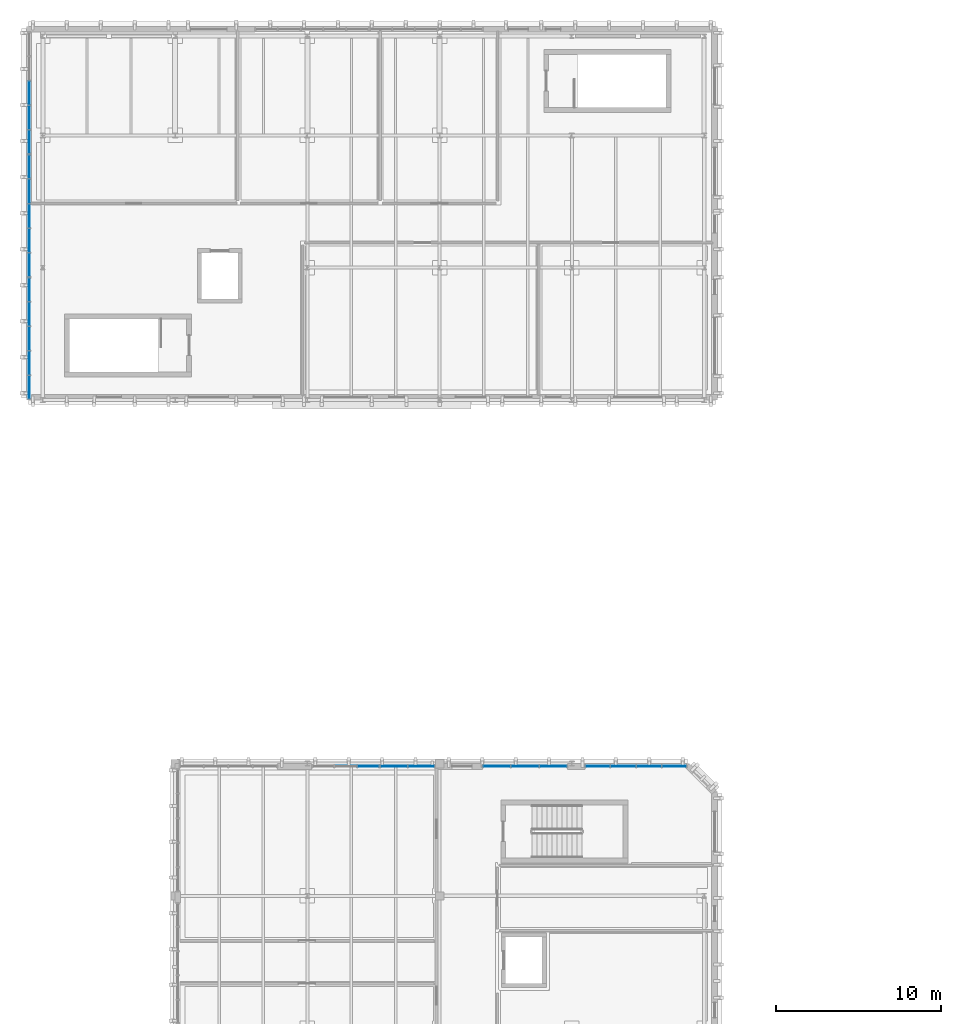
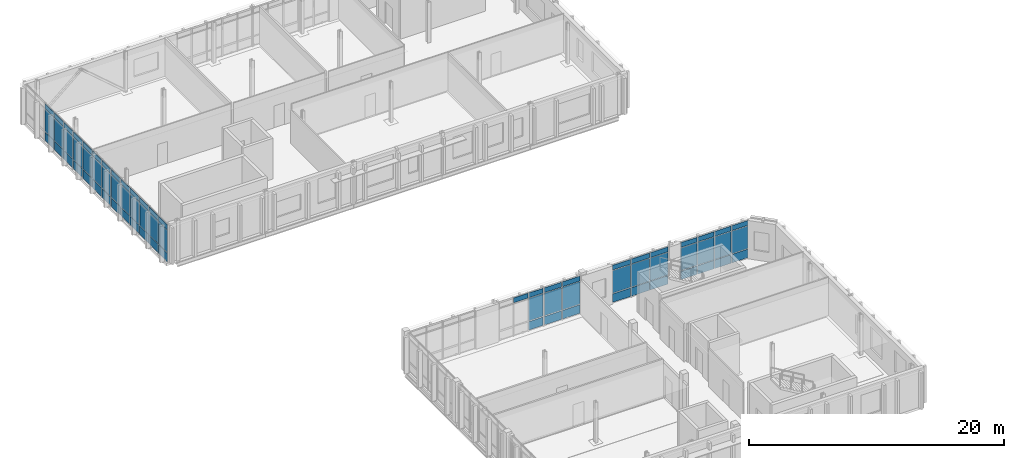
# One storey, part 20 of 40: 70 plates, 7 elements without a shape of their own.
"""IFC4 building model written with IfcOpenShell, lengths in metres."""

from ifc_helpers import new_model, si_unit, direction, frame, origin, origin_2d, place, context, subcontext, project, spatial, rectangle, extrude, material, layer, layer_set, type_object, element, aggregate, save


model = new_model("IFC4")

# Units and contexts
model_context = context("Model", 3, precision=1e-05, world=origin(), true_north=direction((0.0, 1.0)))
body_context = subcontext(model_context, "Body", "Model", "MODEL_VIEW")
ifc_project = project(units=[si_unit("LENGTHUNIT", "METRE"), si_unit("AREAUNIT", "SQUARE_METRE"), si_unit("VOLUMEUNIT", "CUBIC_METRE"), si_unit("PLANEANGLEUNIT", "RADIAN"), si_unit("MASSUNIT", "GRAM", prefix="KILO")], contexts=[model_context])

# Site, building, storey
site_placement = place(None, origin())
site = spatial("IfcSite", under=ifc_project, at=site_placement, CompositionType="ELEMENT")
building_placement = place(site_placement, origin())
building = spatial("IfcBuilding", under=site, at=building_placement, Name="Cymarion Research Institute", CompositionType="ELEMENT")
storey_placement = place(building_placement, frame((0.0, 0.0, 26.699951171875)))
storey = spatial("IfcBuildingStorey", under=building, at=storey_placement, Name="L06", CompositionType="ELEMENT", Elevation=26.699951171875)

# Curtain wall, plates
ifc_material_1 = material(Name="Anodised aluminium unitised curtain wall with Low-E glazing", Category="aluminium")
curtain_wall_type_1 = type_object("IfcCurtainWallType", Name="UNITISED CURTAIN WALL CW57 6200X3680", PredefinedType="NOTDEFINED", material=ifc_material_1)
curtain_wall_1_placement = place(storey_placement, origin())
curtain_wall_1 = element("IfcCurtainWall", 1, at=curtain_wall_1_placement, inside=storey, type_object=curtain_wall_type_1, Name="L06 V4 unitised curtain wall CW57 #217", PredefinedType="NOTDEFINED")
ifc_material_2 = material(Name="Insulated anodised aluminium spandrel panel", Category="aluminium")
ifc_layer_1 = layer(ifc_material_2, 0.06005859375)
ifc_layer_set_1 = layer_set([ifc_layer_1], Name="Insulated anodised aluminium spandrel panel")
plate_type_1 = type_object("IfcPlateType", Name="INSULATED ALUMINIUM SPANDREL PANEL SP01 60MM", PredefinedType="SHEET", material=ifc_layer_set_1)
plate_1_placement = place(storey_placement, frame((44.787841796875, 71.330078125, 0.06005859375), z_axis=(0.0, 0.0, 1.0), x_axis=(-1.0, 0.0, 0.0)))
plate_1 = element("IfcPlate", 2, at=plate_1_placement, type_object=plate_type_1, Name="CW57 panel 1.1", PredefinedType="SHEET", context=body_context, shape_type="SweptSolid", body=[
    extrude(rectangle(XDim=1.458984375, YDim=0.06005859375, at=origin_2d()), origin(), (0.0, 0.0, 1.0), 0.81005859375),
])
plate_2_placement = place(storey_placement, frame((44.787841796875, 71.330078125, 3.16015625), z_axis=(0.0, 0.0, 1.0), x_axis=(-1.0, 0.0, 0.0)))
plate_2 = element("IfcPlate", 3, at=plate_2_placement, type_object=plate_type_1, Name="CW57 panel 1.3", PredefinedType="SHEET", context=body_context, shape_type="SweptSolid", body=[
    extrude(rectangle(XDim=1.458984375, YDim=0.06005859375, at=origin_2d()), origin(), (0.0, 0.0, 1.0), 0.4599609375),
])
plate_3_placement = place(storey_placement, frame((43.25390625, 71.330078125, 0.06005859375), z_axis=(0.0, 0.0, 1.0), x_axis=(-1.0, 0.0, 0.0)))
plate_3 = element("IfcPlate", 4, at=plate_3_placement, type_object=plate_type_1, Name="CW57 panel 2.1", PredefinedType="SHEET", context=body_context, shape_type="SweptSolid", body=[
    extrude(rectangle(XDim=1.48876953125, YDim=0.06005859375, at=origin_2d()), origin(), (0.0, 0.0, 1.0), 0.81005859375),
])
plate_4_placement = place(storey_placement, frame((43.25390625, 71.330078125, 3.16015625), z_axis=(0.0, 0.0, 1.0), x_axis=(-1.0, 0.0, 0.0)))
plate_4 = element("IfcPlate", 5, at=plate_4_placement, type_object=plate_type_1, Name="CW57 panel 2.3", PredefinedType="SHEET", context=body_context, shape_type="SweptSolid", body=[
    extrude(rectangle(XDim=1.48876953125, YDim=0.06005859375, at=origin_2d()), origin(), (0.0, 0.0, 1.0), 0.4599609375),
])
plate_5_placement = place(storey_placement, frame((41.705078125, 71.330078125, 0.06005859375), z_axis=(0.0, 0.0, 1.0), x_axis=(-1.0, 0.0, 0.0)))
plate_5 = element("IfcPlate", 6, at=plate_5_placement, type_object=plate_type_1, Name="CW57 panel 3.1", PredefinedType="SHEET", context=body_context, shape_type="SweptSolid", body=[
    extrude(rectangle(XDim=1.48876953125, YDim=0.06005859375, at=origin_2d()), origin(), (0.0, 0.0, 1.0), 0.81005859375),
])
plate_6_placement = place(storey_placement, frame((41.705078125, 71.330078125, 3.16015625), z_axis=(0.0, 0.0, 1.0), x_axis=(-1.0, 0.0, 0.0)))
plate_6 = element("IfcPlate", 7, at=plate_6_placement, type_object=plate_type_1, Name="CW57 panel 3.3", PredefinedType="SHEET", context=body_context, shape_type="SweptSolid", body=[
    extrude(rectangle(XDim=1.48876953125, YDim=0.06005859375, at=origin_2d()), origin(), (0.0, 0.0, 1.0), 0.4599609375),
])
plate_7_placement = place(storey_placement, frame((40.171142578125, 71.330078125, 0.06005859375), z_axis=(0.0, 0.0, 1.0), x_axis=(-1.0, 0.0, 0.0)))
plate_7 = element("IfcPlate", 8, at=plate_7_placement, type_object=plate_type_1, Name="CW57 panel 4.1", PredefinedType="SHEET", context=body_context, shape_type="SweptSolid", body=[
    extrude(rectangle(XDim=1.458984375, YDim=0.06005859375, at=origin_2d()), origin(), (0.0, 0.0, 1.0), 0.81005859375),
])
plate_8_placement = place(storey_placement, frame((40.171142578125, 71.330078125, 3.16015625), z_axis=(0.0, 0.0, 1.0), x_axis=(-1.0, 0.0, 0.0)))
plate_8 = element("IfcPlate", 9, at=plate_8_placement, type_object=plate_type_1, Name="CW57 panel 4.3", PredefinedType="SHEET", context=body_context, shape_type="SweptSolid", body=[
    extrude(rectangle(XDim=1.458984375, YDim=0.06005859375, at=origin_2d()), origin(), (0.0, 0.0, 1.0), 0.4599609375),
])

curtain_wall_type_2 = type_object("IfcCurtainWallType", Name="UNITISED CURTAIN WALL CW58 5150X3680", PredefinedType="NOTDEFINED", material=ifc_material_1)
curtain_wall_2_placement = place(storey_placement, origin())
curtain_wall_2 = element("IfcCurtainWall", 10, at=curtain_wall_2_placement, inside=storey, type_object=curtain_wall_type_2, Name="L06 V4 unitised curtain wall CW58 #218", PredefinedType="NOTDEFINED")
plate_9_placement = place(storey_placement, frame((37.466064453125, 71.330078125, 0.06005859375), z_axis=(0.0, 0.0, 1.0), x_axis=(-1.0, 0.0, 0.0)))
plate_9 = element("IfcPlate", 11, at=plate_9_placement, type_object=plate_type_1, Name="CW58 panel 1.1", PredefinedType="SHEET", context=body_context, shape_type="SweptSolid", body=[
    extrude(rectangle(XDim=1.6279296875, YDim=0.06005859375, at=origin_2d()), origin(), (0.0, 0.0, 1.0), 0.81005859375),
])
plate_10_placement = place(storey_placement, frame((37.466064453125, 71.330078125, 3.16015625), z_axis=(0.0, 0.0, 1.0), x_axis=(-1.0, 0.0, 0.0)))
plate_10 = element("IfcPlate", 12, at=plate_10_placement, type_object=plate_type_1, Name="CW58 panel 1.3", PredefinedType="SHEET", context=body_context, shape_type="SweptSolid", body=[
    extrude(rectangle(XDim=1.6279296875, YDim=0.06005859375, at=origin_2d()), origin(), (0.0, 0.0, 1.0), 0.4599609375),
])
plate_11_placement = place(storey_placement, frame((35.76318359375, 71.330078125, 0.06005859375), z_axis=(0.0, 0.0, 1.0), x_axis=(-1.0, 0.0, 0.0)))
plate_11 = element("IfcPlate", 13, at=plate_11_placement, type_object=plate_type_1, Name="CW58 panel 2.1", PredefinedType="SHEET", context=body_context, shape_type="SweptSolid", body=[
    extrude(rectangle(XDim=1.657958984375, YDim=0.06005859375, at=origin_2d()), origin(), (0.0, 0.0, 1.0), 0.81005859375),
])
plate_12_placement = place(storey_placement, frame((35.76318359375, 71.330078125, 3.16015625), z_axis=(0.0, 0.0, 1.0), x_axis=(-1.0, 0.0, 0.0)))
plate_12 = element("IfcPlate", 14, at=plate_12_placement, type_object=plate_type_1, Name="CW58 panel 2.3", PredefinedType="SHEET", context=body_context, shape_type="SweptSolid", body=[
    extrude(rectangle(XDim=1.657958984375, YDim=0.06005859375, at=origin_2d()), origin(), (0.0, 0.0, 1.0), 0.4599609375),
])
plate_13_placement = place(storey_placement, frame((34.060302734375, 71.330078125, 0.06005859375), z_axis=(0.0, 0.0, 1.0), x_axis=(-1.0, 0.0, 0.0)))
plate_13 = element("IfcPlate", 15, at=plate_13_placement, type_object=plate_type_1, Name="CW58 panel 3.1", PredefinedType="SHEET", context=body_context, shape_type="SweptSolid", body=[
    extrude(rectangle(XDim=1.6279296875, YDim=0.06005859375, at=origin_2d()), origin(), (0.0, 0.0, 1.0), 0.81005859375),
])
plate_14_placement = place(storey_placement, frame((34.060302734375, 71.330078125, 3.16015625), z_axis=(0.0, 0.0, 1.0), x_axis=(-1.0, 0.0, 0.0)))
plate_14 = element("IfcPlate", 16, at=plate_14_placement, type_object=plate_type_1, Name="CW58 panel 3.3", PredefinedType="SHEET", context=body_context, shape_type="SweptSolid", body=[
    extrude(rectangle(XDim=1.6279296875, YDim=0.06005859375, at=origin_2d()), origin(), (0.0, 0.0, 1.0), 0.4599609375),
])

curtain_wall_type_3 = type_object("IfcCurtainWallType", Name="UNITISED CURTAIN WALL CW59 3350X3680", PredefinedType="NOTDEFINED", material=ifc_material_1)
curtain_wall_3_placement = place(storey_placement, origin())
curtain_wall_3 = element("IfcCurtainWall", 17, at=curtain_wall_3_placement, inside=storey, type_object=curtain_wall_type_3, Name="L06 V4 unitised curtain wall CW59 #219", PredefinedType="NOTDEFINED")
plate_15_placement = place(storey_placement, frame((29.48779296875, 71.330078125, 0.06005859375), z_axis=(0.0, 0.0, 1.0), x_axis=(-1.0, 0.0, 0.0)))
plate_15 = element("IfcPlate", 18, at=plate_15_placement, type_object=plate_type_1, Name="CW59 panel 1.1", PredefinedType="SHEET", context=body_context, shape_type="SweptSolid", body=[
    extrude(rectangle(XDim=1.58447265625, YDim=0.06005859375, at=origin_2d()), origin(), (0.0, 0.0, 1.0), 0.81005859375),
])
plate_16_placement = place(storey_placement, frame((29.48779296875, 71.330078125, 3.16015625), z_axis=(0.0, 0.0, 1.0), x_axis=(-1.0, 0.0, 0.0)))
plate_16 = element("IfcPlate", 19, at=plate_16_placement, type_object=plate_type_1, Name="CW59 panel 1.3", PredefinedType="SHEET", context=body_context, shape_type="SweptSolid", body=[
    extrude(rectangle(XDim=1.58447265625, YDim=0.06005859375, at=origin_2d()), origin(), (0.0, 0.0, 1.0), 0.4599609375),
])
plate_17_placement = place(storey_placement, frame((27.84326171875, 71.330078125, 0.06005859375), z_axis=(0.0, 0.0, 1.0), x_axis=(-1.0, 0.0, 0.0)))
plate_17 = element("IfcPlate", 20, at=plate_17_placement, type_object=plate_type_1, Name="CW59 panel 2.1", PredefinedType="SHEET", context=body_context, shape_type="SweptSolid", body=[
    extrude(rectangle(XDim=1.58447265625, YDim=0.06005859375, at=origin_2d()), origin(), (0.0, 0.0, 1.0), 0.81005859375),
])
plate_18_placement = place(storey_placement, frame((27.84326171875, 71.330078125, 3.16015625), z_axis=(0.0, 0.0, 1.0), x_axis=(-1.0, 0.0, 0.0)))
plate_18 = element("IfcPlate", 21, at=plate_18_placement, type_object=plate_type_1, Name="CW59 panel 2.3", PredefinedType="SHEET", context=body_context, shape_type="SweptSolid", body=[
    extrude(rectangle(XDim=1.58447265625, YDim=0.06005859375, at=origin_2d()), origin(), (0.0, 0.0, 1.0), 0.4599609375),
])

curtain_wall_type_4 = type_object("IfcCurtainWallType", Name="UNITISED CURTAIN WALL CW51 4130X3680", PredefinedType="NOTDEFINED", material=ifc_material_1)
curtain_wall_4_placement = place(storey_placement, origin())
curtain_wall_4 = element("IfcCurtainWall", 22, at=curtain_wall_4_placement, inside=storey, type_object=curtain_wall_type_4, Name="L06 V4 unitised curtain wall CW51 #220", PredefinedType="NOTDEFINED")
plate_19_placement = place(storey_placement, frame((26.287353515625, 71.330078125, 0.06005859375), z_axis=(0.0, 0.0, 1.0), x_axis=(-1.0, 0.0, 0.0)))
plate_19 = element("IfcPlate", 23, at=plate_19_placement, type_object=plate_type_1, Name="CW51 panel 1.1", PredefinedType="SHEET", context=body_context, shape_type="SweptSolid", body=[
    extrude(rectangle(XDim=1.286865234375, YDim=0.06005859375, at=origin_2d()), origin(), (0.0, 0.0, 1.0), 0.81005859375),
])
plate_20_placement = place(storey_placement, frame((26.287353515625, 71.330078125, 3.16015625), z_axis=(0.0, 0.0, 1.0), x_axis=(-1.0, 0.0, 0.0)))
plate_20 = element("IfcPlate", 24, at=plate_20_placement, type_object=plate_type_1, Name="CW51 panel 1.3", PredefinedType="SHEET", context=body_context, shape_type="SweptSolid", body=[
    extrude(rectangle(XDim=1.286865234375, YDim=0.06005859375, at=origin_2d()), origin(), (0.0, 0.0, 1.0), 0.4599609375),
])
plate_21_placement = place(storey_placement, frame((24.925537109375, 71.330078125, 3.16015625), z_axis=(0.0, 0.0, 1.0), x_axis=(-1.0, 0.0, 0.0)))
plate_21 = element("IfcPlate", 25, at=plate_21_placement, type_object=plate_type_1, Name="CW51 panel 2.3", PredefinedType="SHEET", context=body_context, shape_type="SweptSolid", body=[
    extrude(rectangle(XDim=1.31689453125, YDim=0.06005859375, at=origin_2d()), origin(), (0.0, 0.0, 1.0), 0.4599609375),
])

curtain_wall_type_5 = type_object("IfcCurtainWallType", Name="UNITISED CURTAIN WALL CW65 7430X3660", PredefinedType="NOTDEFINED", material=ifc_material_1)
curtain_wall_5_placement = place(storey_placement, origin())
curtain_wall_5 = element("IfcCurtainWall", 26, at=curtain_wall_5_placement, inside=storey, type_object=curtain_wall_type_5, Name="L06 V5 unitised curtain wall CW65 #227", PredefinedType="NOTDEFINED")
plate_22_placement = place(storey_placement, frame((5.77001953125, 112.06494140625, 0.06005859375), z_axis=(0.0, 0.0, 1.0), x_axis=(0.0, -1.0, 0.0)))
plate_22 = element("IfcPlate", 27, at=plate_22_placement, type_object=plate_type_1, Name="CW65 panel 3.1", PredefinedType="SHEET", context=body_context, shape_type="SweptSolid", body=[
    extrude(rectangle(XDim=1.42529296875, YDim=0.06005859375, at=origin_2d()), origin(), (0.0, 0.0, 1.0), 0.81005859375),
])
plate_23_placement = place(storey_placement, frame((5.77001953125, 112.06494140625, 3.14013671875), z_axis=(0.0, 0.0, 1.0), x_axis=(0.0, -1.0, 0.0)))
plate_23 = element("IfcPlate", 28, at=plate_23_placement, type_object=plate_type_1, Name="CW65 panel 3.3", PredefinedType="SHEET", context=body_context, shape_type="SweptSolid", body=[
    extrude(rectangle(XDim=1.42529296875, YDim=0.06005859375, at=origin_2d()), origin(), (0.0, 0.0, 1.0), 0.4599609375),
])
plate_24_placement = place(storey_placement, frame((5.77001953125, 110.579833984375, 0.06005859375), z_axis=(0.0, 0.0, 1.0), x_axis=(0.0, -1.0, 0.0)))
plate_24 = element("IfcPlate", 29, at=plate_24_placement, type_object=plate_type_1, Name="CW65 panel 4.1", PredefinedType="SHEET", context=body_context, shape_type="SweptSolid", body=[
    extrude(rectangle(XDim=1.42529296875, YDim=0.06005859375, at=origin_2d()), origin(), (0.0, 0.0, 1.0), 0.81005859375),
])
plate_25_placement = place(storey_placement, frame((5.77001953125, 110.579833984375, 3.14013671875), z_axis=(0.0, 0.0, 1.0), x_axis=(0.0, -1.0, 0.0)))
plate_25 = element("IfcPlate", 30, at=plate_25_placement, type_object=plate_type_1, Name="CW65 panel 4.3", PredefinedType="SHEET", context=body_context, shape_type="SweptSolid", body=[
    extrude(rectangle(XDim=1.42529296875, YDim=0.06005859375, at=origin_2d()), origin(), (0.0, 0.0, 1.0), 0.4599609375),
])
plate_26_placement = place(storey_placement, frame((5.77001953125, 109.109619140625, 0.06005859375), z_axis=(0.0, 0.0, 1.0), x_axis=(0.0, -1.0, 0.0)))
plate_26 = element("IfcPlate", 31, at=plate_26_placement, type_object=plate_type_1, Name="CW65 panel 5.1", PredefinedType="SHEET", context=body_context, shape_type="SweptSolid", body=[
    extrude(rectangle(XDim=1.395263671875, YDim=0.06005859375, at=origin_2d()), origin(), (0.0, 0.0, 1.0), 0.81005859375),
])
plate_27_placement = place(storey_placement, frame((5.77001953125, 109.109619140625, 3.14013671875), z_axis=(0.0, 0.0, 1.0), x_axis=(0.0, -1.0, 0.0)))
plate_27 = element("IfcPlate", 32, at=plate_27_placement, type_object=plate_type_1, Name="CW65 panel 5.3", PredefinedType="SHEET", context=body_context, shape_type="SweptSolid", body=[
    extrude(rectangle(XDim=1.395263671875, YDim=0.06005859375, at=origin_2d()), origin(), (0.0, 0.0, 1.0), 0.4599609375),
])

curtain_wall_6_placement = place(storey_placement, origin())
curtain_wall_6 = element("IfcCurtainWall", 33, at=curtain_wall_6_placement, inside=storey, type_object=curtain_wall_type_5, Name="L06 V5 unitised curtain wall CW65 #228", PredefinedType="NOTDEFINED")
plate_28_placement = place(storey_placement, frame((5.77001953125, 107.594482421875, 0.06005859375), z_axis=(0.0, 0.0, 1.0), x_axis=(0.0, -1.0, 0.0)))
plate_28 = element("IfcPlate", 34, at=plate_28_placement, type_object=plate_type_1, Name="CW65 panel 1.1", PredefinedType="SHEET", context=body_context, shape_type="SweptSolid", body=[
    extrude(rectangle(XDim=1.395263671875, YDim=0.06005859375, at=origin_2d()), origin(), (0.0, 0.0, 1.0), 0.81005859375),
])
plate_29_placement = place(storey_placement, frame((5.77001953125, 107.594482421875, 3.14013671875), z_axis=(0.0, 0.0, 1.0), x_axis=(0.0, -1.0, 0.0)))
plate_29 = element("IfcPlate", 35, at=plate_29_placement, type_object=plate_type_1, Name="CW65 panel 1.3", PredefinedType="SHEET", context=body_context, shape_type="SweptSolid", body=[
    extrude(rectangle(XDim=1.395263671875, YDim=0.06005859375, at=origin_2d()), origin(), (0.0, 0.0, 1.0), 0.4599609375),
])
plate_30_placement = place(storey_placement, frame((5.77001953125, 106.124267578125, 0.06005859375), z_axis=(0.0, 0.0, 1.0), x_axis=(0.0, -1.0, 0.0)))
plate_30 = element("IfcPlate", 36, at=plate_30_placement, type_object=plate_type_1, Name="CW65 panel 2.1", PredefinedType="SHEET", context=body_context, shape_type="SweptSolid", body=[
    extrude(rectangle(XDim=1.42529296875, YDim=0.06005859375, at=origin_2d()), origin(), (0.0, 0.0, 1.0), 0.81005859375),
])
plate_31_placement = place(storey_placement, frame((5.77001953125, 106.124267578125, 3.14013671875), z_axis=(0.0, 0.0, 1.0), x_axis=(0.0, -1.0, 0.0)))
plate_31 = element("IfcPlate", 37, at=plate_31_placement, type_object=plate_type_1, Name="CW65 panel 2.3", PredefinedType="SHEET", context=body_context, shape_type="SweptSolid", body=[
    extrude(rectangle(XDim=1.42529296875, YDim=0.06005859375, at=origin_2d()), origin(), (0.0, 0.0, 1.0), 0.4599609375),
])
plate_32_placement = place(storey_placement, frame((5.77001953125, 104.638916015625, 0.06005859375), z_axis=(0.0, 0.0, 1.0), x_axis=(0.0, -1.0, 0.0)))
plate_32 = element("IfcPlate", 38, at=plate_32_placement, type_object=plate_type_1, Name="CW65 panel 3.1", PredefinedType="SHEET", context=body_context, shape_type="SweptSolid", body=[
    extrude(rectangle(XDim=1.42529296875, YDim=0.06005859375, at=origin_2d()), origin(), (0.0, 0.0, 1.0), 0.81005859375),
])
plate_33_placement = place(storey_placement, frame((5.77001953125, 104.638916015625, 3.14013671875), z_axis=(0.0, 0.0, 1.0), x_axis=(0.0, -1.0, 0.0)))
plate_33 = element("IfcPlate", 39, at=plate_33_placement, type_object=plate_type_1, Name="CW65 panel 3.3", PredefinedType="SHEET", context=body_context, shape_type="SweptSolid", body=[
    extrude(rectangle(XDim=1.42529296875, YDim=0.06005859375, at=origin_2d()), origin(), (0.0, 0.0, 1.0), 0.4599609375),
])
plate_34_placement = place(storey_placement, frame((5.77001953125, 103.15380859375, 0.06005859375), z_axis=(0.0, 0.0, 1.0), x_axis=(0.0, -1.0, 0.0)))
plate_34 = element("IfcPlate", 40, at=plate_34_placement, type_object=plate_type_1, Name="CW65 panel 4.1", PredefinedType="SHEET", context=body_context, shape_type="SweptSolid", body=[
    extrude(rectangle(XDim=1.42529296875, YDim=0.06005859375, at=origin_2d()), origin(), (0.0, 0.0, 1.0), 0.81005859375),
])
plate_35_placement = place(storey_placement, frame((5.77001953125, 103.15380859375, 3.14013671875), z_axis=(0.0, 0.0, 1.0), x_axis=(0.0, -1.0, 0.0)))
plate_35 = element("IfcPlate", 41, at=plate_35_placement, type_object=plate_type_1, Name="CW65 panel 4.3", PredefinedType="SHEET", context=body_context, shape_type="SweptSolid", body=[
    extrude(rectangle(XDim=1.42529296875, YDim=0.06005859375, at=origin_2d()), origin(), (0.0, 0.0, 1.0), 0.4599609375),
])
plate_36_placement = place(storey_placement, frame((5.77001953125, 101.68359375, 0.06005859375), z_axis=(0.0, 0.0, 1.0), x_axis=(0.0, -1.0, 0.0)))
plate_36 = element("IfcPlate", 42, at=plate_36_placement, type_object=plate_type_1, Name="CW65 panel 5.1", PredefinedType="SHEET", context=body_context, shape_type="SweptSolid", body=[
    extrude(rectangle(XDim=1.395263671875, YDim=0.06005859375, at=origin_2d()), origin(), (0.0, 0.0, 1.0), 0.81005859375),
])
plate_37_placement = place(storey_placement, frame((5.77001953125, 101.68359375, 3.14013671875), z_axis=(0.0, 0.0, 1.0), x_axis=(0.0, -1.0, 0.0)))
plate_37 = element("IfcPlate", 43, at=plate_37_placement, type_object=plate_type_1, Name="CW65 panel 5.3", PredefinedType="SHEET", context=body_context, shape_type="SweptSolid", body=[
    extrude(rectangle(XDim=1.395263671875, YDim=0.06005859375, at=origin_2d()), origin(), (0.0, 0.0, 1.0), 0.4599609375),
])

curtain_wall_7_placement = place(storey_placement, origin())
curtain_wall_7 = element("IfcCurtainWall", 44, at=curtain_wall_7_placement, inside=storey, type_object=curtain_wall_type_5, Name="L06 V5 unitised curtain wall CW65 #229", PredefinedType="NOTDEFINED")
plate_38_placement = place(storey_placement, frame((5.77001953125, 100.16845703125, 0.06005859375), z_axis=(0.0, 0.0, 1.0), x_axis=(0.0, -1.0, 0.0)))
plate_38 = element("IfcPlate", 45, at=plate_38_placement, type_object=plate_type_1, Name="CW65 panel 1.1", PredefinedType="SHEET", context=body_context, shape_type="SweptSolid", body=[
    extrude(rectangle(XDim=1.395263671875, YDim=0.06005859375, at=origin_2d()), origin(), (0.0, 0.0, 1.0), 0.81005859375),
])
plate_39_placement = place(storey_placement, frame((5.77001953125, 100.16845703125, 3.14013671875), z_axis=(0.0, 0.0, 1.0), x_axis=(0.0, -1.0, 0.0)))
plate_39 = element("IfcPlate", 46, at=plate_39_placement, type_object=plate_type_1, Name="CW65 panel 1.3", PredefinedType="SHEET", context=body_context, shape_type="SweptSolid", body=[
    extrude(rectangle(XDim=1.395263671875, YDim=0.06005859375, at=origin_2d()), origin(), (0.0, 0.0, 1.0), 0.4599609375),
])
plate_40_placement = place(storey_placement, frame((5.77001953125, 98.6982421875, 0.06005859375), z_axis=(0.0, 0.0, 1.0), x_axis=(0.0, -1.0, 0.0)))
plate_40 = element("IfcPlate", 47, at=plate_40_placement, type_object=plate_type_1, Name="CW65 panel 2.1", PredefinedType="SHEET", context=body_context, shape_type="SweptSolid", body=[
    extrude(rectangle(XDim=1.42529296875, YDim=0.06005859375, at=origin_2d()), origin(), (0.0, 0.0, 1.0), 0.81005859375),
])
plate_41_placement = place(storey_placement, frame((5.77001953125, 98.6982421875, 3.14013671875), z_axis=(0.0, 0.0, 1.0), x_axis=(0.0, -1.0, 0.0)))
plate_41 = element("IfcPlate", 48, at=plate_41_placement, type_object=plate_type_1, Name="CW65 panel 2.3", PredefinedType="SHEET", context=body_context, shape_type="SweptSolid", body=[
    extrude(rectangle(XDim=1.42529296875, YDim=0.06005859375, at=origin_2d()), origin(), (0.0, 0.0, 1.0), 0.4599609375),
])
plate_42_placement = place(storey_placement, frame((5.77001953125, 97.212890625, 0.06005859375), z_axis=(0.0, 0.0, 1.0), x_axis=(0.0, -1.0, 0.0)))
plate_42 = element("IfcPlate", 49, at=plate_42_placement, type_object=plate_type_1, Name="CW65 panel 3.1", PredefinedType="SHEET", context=body_context, shape_type="SweptSolid", body=[
    extrude(rectangle(XDim=1.42529296875, YDim=0.06005859375, at=origin_2d()), origin(), (0.0, 0.0, 1.0), 0.81005859375),
])
plate_43_placement = place(storey_placement, frame((5.77001953125, 97.212890625, 3.14013671875), z_axis=(0.0, 0.0, 1.0), x_axis=(0.0, -1.0, 0.0)))
plate_43 = element("IfcPlate", 50, at=plate_43_placement, type_object=plate_type_1, Name="CW65 panel 3.3", PredefinedType="SHEET", context=body_context, shape_type="SweptSolid", body=[
    extrude(rectangle(XDim=1.42529296875, YDim=0.06005859375, at=origin_2d()), origin(), (0.0, 0.0, 1.0), 0.4599609375),
])
plate_44_placement = place(storey_placement, frame((5.77001953125, 95.727783203125, 0.06005859375), z_axis=(0.0, 0.0, 1.0), x_axis=(0.0, -1.0, 0.0)))
plate_44 = element("IfcPlate", 51, at=plate_44_placement, type_object=plate_type_1, Name="CW65 panel 4.1", PredefinedType="SHEET", context=body_context, shape_type="SweptSolid", body=[
    extrude(rectangle(XDim=1.42529296875, YDim=0.06005859375, at=origin_2d()), origin(), (0.0, 0.0, 1.0), 0.81005859375),
])
plate_45_placement = place(storey_placement, frame((5.77001953125, 95.727783203125, 3.14013671875), z_axis=(0.0, 0.0, 1.0), x_axis=(0.0, -1.0, 0.0)))
plate_45 = element("IfcPlate", 52, at=plate_45_placement, type_object=plate_type_1, Name="CW65 panel 4.3", PredefinedType="SHEET", context=body_context, shape_type="SweptSolid", body=[
    extrude(rectangle(XDim=1.42529296875, YDim=0.06005859375, at=origin_2d()), origin(), (0.0, 0.0, 1.0), 0.4599609375),
])
plate_46_placement = place(storey_placement, frame((5.77001953125, 94.257568359375, 0.06005859375), z_axis=(0.0, 0.0, 1.0), x_axis=(0.0, -1.0, 0.0)))
plate_46 = element("IfcPlate", 53, at=plate_46_placement, type_object=plate_type_1, Name="CW65 panel 5.1", PredefinedType="SHEET", context=body_context, shape_type="SweptSolid", body=[
    extrude(rectangle(XDim=1.395263671875, YDim=0.06005859375, at=origin_2d()), origin(), (0.0, 0.0, 1.0), 0.81005859375),
])
plate_47_placement = place(storey_placement, frame((5.77001953125, 94.257568359375, 3.14013671875), z_axis=(0.0, 0.0, 1.0), x_axis=(0.0, -1.0, 0.0)))
plate_47 = element("IfcPlate", 54, at=plate_47_placement, type_object=plate_type_1, Name="CW65 panel 5.3", PredefinedType="SHEET", context=body_context, shape_type="SweptSolid", body=[
    extrude(rectangle(XDim=1.395263671875, YDim=0.06005859375, at=origin_2d()), origin(), (0.0, 0.0, 1.0), 0.4599609375),
])

# Plate
ifc_material_3 = material(Name="Low-E double solar-control glazing", Category="glass")
ifc_layer_2 = layer(ifc_material_3, 0.035888671875)
ifc_layer_set_2 = layer_set([ifc_layer_2], Name="Low-E double solar-control glazing")
plate_type_2 = type_object("IfcPlateType", Name="SOLAR CONTROL GLAZED VISION PANEL GP01 36MM", PredefinedType="CURTAIN_PANEL", material=ifc_layer_set_2)
plate_48_placement = place(storey_placement, frame((44.787841796875, 71.330078125, 0.93017578125), z_axis=(0.0, 0.0, 1.0), x_axis=(-1.0, 0.0, 0.0)))
plate_48 = element("IfcPlate", 55, at=plate_48_placement, type_object=plate_type_2, Name="CW57 panel 1.2", PredefinedType="CURTAIN_PANEL", context=body_context, shape_type="SweptSolid", body=[
    extrude(rectangle(XDim=1.458984375, YDim=0.035888671875, at=origin_2d()), origin(), (0.0, 0.0, 1.0), 2.169921875),
])

plate_49_placement = place(storey_placement, frame((43.25390625, 71.330078125, 0.93017578125), z_axis=(0.0, 0.0, 1.0), x_axis=(-1.0, 0.0, 0.0)))
plate_49 = element("IfcPlate", 56, at=plate_49_placement, type_object=plate_type_2, Name="CW57 panel 2.2", PredefinedType="CURTAIN_PANEL", context=body_context, shape_type="SweptSolid", body=[
    extrude(rectangle(XDim=1.48876953125, YDim=0.035888671875, at=origin_2d()), origin(), (0.0, 0.0, 1.0), 2.169921875),
])

plate_50_placement = place(storey_placement, frame((41.705078125, 71.330078125, 0.93017578125), z_axis=(0.0, 0.0, 1.0), x_axis=(-1.0, 0.0, 0.0)))
plate_50 = element("IfcPlate", 57, at=plate_50_placement, type_object=plate_type_2, Name="CW57 panel 3.2", PredefinedType="CURTAIN_PANEL", context=body_context, shape_type="SweptSolid", body=[
    extrude(rectangle(XDim=1.48876953125, YDim=0.035888671875, at=origin_2d()), origin(), (0.0, 0.0, 1.0), 2.169921875),
])

plate_51_placement = place(storey_placement, frame((40.171142578125, 71.330078125, 0.93017578125), z_axis=(0.0, 0.0, 1.0), x_axis=(-1.0, 0.0, 0.0)))
plate_51 = element("IfcPlate", 58, at=plate_51_placement, type_object=plate_type_2, Name="CW57 panel 4.2", PredefinedType="CURTAIN_PANEL", context=body_context, shape_type="SweptSolid", body=[
    extrude(rectangle(XDim=1.458984375, YDim=0.035888671875, at=origin_2d()), origin(), (0.0, 0.0, 1.0), 2.169921875),
])

aggregate(curtain_wall_1, [plate_1, plate_48, plate_2, plate_3, plate_49, plate_4, plate_5, plate_50, plate_6, plate_7, plate_51, plate_8])

plate_52_placement = place(storey_placement, frame((37.466064453125, 71.330078125, 0.93017578125), z_axis=(0.0, 0.0, 1.0), x_axis=(-1.0, 0.0, 0.0)))
plate_52 = element("IfcPlate", 59, at=plate_52_placement, type_object=plate_type_2, Name="CW58 panel 1.2", PredefinedType="CURTAIN_PANEL", context=body_context, shape_type="SweptSolid", body=[
    extrude(rectangle(XDim=1.6279296875, YDim=0.035888671875, at=origin_2d()), origin(), (0.0, 0.0, 1.0), 2.169921875),
])

plate_53_placement = place(storey_placement, frame((35.76318359375, 71.330078125, 0.93017578125), z_axis=(0.0, 0.0, 1.0), x_axis=(-1.0, 0.0, 0.0)))
plate_53 = element("IfcPlate", 60, at=plate_53_placement, type_object=plate_type_2, Name="CW58 panel 2.2", PredefinedType="CURTAIN_PANEL", context=body_context, shape_type="SweptSolid", body=[
    extrude(rectangle(XDim=1.657958984375, YDim=0.035888671875, at=origin_2d()), origin(), (0.0, 0.0, 1.0), 2.169921875),
])

plate_54_placement = place(storey_placement, frame((34.060302734375, 71.330078125, 0.93017578125), z_axis=(0.0, 0.0, 1.0), x_axis=(-1.0, 0.0, 0.0)))
plate_54 = element("IfcPlate", 61, at=plate_54_placement, type_object=plate_type_2, Name="CW58 panel 3.2", PredefinedType="CURTAIN_PANEL", context=body_context, shape_type="SweptSolid", body=[
    extrude(rectangle(XDim=1.6279296875, YDim=0.035888671875, at=origin_2d()), origin(), (0.0, 0.0, 1.0), 2.169921875),
])

aggregate(curtain_wall_2, [plate_9, plate_52, plate_10, plate_11, plate_53, plate_12, plate_13, plate_54, plate_14])

plate_55_placement = place(storey_placement, frame((29.48779296875, 71.330078125, 0.93017578125), z_axis=(0.0, 0.0, 1.0), x_axis=(-1.0, 0.0, 0.0)))
plate_55 = element("IfcPlate", 62, at=plate_55_placement, type_object=plate_type_2, Name="CW59 panel 1.2", PredefinedType="CURTAIN_PANEL", context=body_context, shape_type="SweptSolid", body=[
    extrude(rectangle(XDim=1.58447265625, YDim=0.035888671875, at=origin_2d()), origin(), (0.0, 0.0, 1.0), 2.169921875),
])

plate_56_placement = place(storey_placement, frame((27.84326171875, 71.330078125, 0.93017578125), z_axis=(0.0, 0.0, 1.0), x_axis=(-1.0, 0.0, 0.0)))
plate_56 = element("IfcPlate", 63, at=plate_56_placement, type_object=plate_type_2, Name="CW59 panel 2.2", PredefinedType="CURTAIN_PANEL", context=body_context, shape_type="SweptSolid", body=[
    extrude(rectangle(XDim=1.58447265625, YDim=0.035888671875, at=origin_2d()), origin(), (0.0, 0.0, 1.0), 2.169921875),
])

aggregate(curtain_wall_3, [plate_15, plate_55, plate_16, plate_17, plate_56, plate_18])

plate_57_placement = place(storey_placement, frame((26.287353515625, 71.330078125, 0.93017578125), z_axis=(0.0, 0.0, 1.0), x_axis=(-1.0, 0.0, 0.0)))
plate_57 = element("IfcPlate", 64, at=plate_57_placement, type_object=plate_type_2, Name="CW51 panel 1.2", PredefinedType="CURTAIN_PANEL", context=body_context, shape_type="SweptSolid", body=[
    extrude(rectangle(XDim=1.286865234375, YDim=0.035888671875, at=origin_2d()), origin(), (0.0, 0.0, 1.0), 2.169921875),
])

aggregate(curtain_wall_4, [plate_19, plate_57, plate_20, plate_21])

plate_58_placement = place(storey_placement, frame((5.77001953125, 112.06494140625, 0.93017578125), z_axis=(0.0, 0.0, 1.0), x_axis=(0.0, -1.0, 0.0)))
plate_58 = element("IfcPlate", 65, at=plate_58_placement, type_object=plate_type_2, Name="CW65 panel 3.2", PredefinedType="CURTAIN_PANEL", context=body_context, shape_type="SweptSolid", body=[
    extrude(rectangle(XDim=1.42529296875, YDim=0.035888671875, at=origin_2d()), origin(), (0.0, 0.0, 1.0), 2.14990234375),
])

plate_59_placement = place(storey_placement, frame((5.77001953125, 110.579833984375, 0.93017578125), z_axis=(0.0, 0.0, 1.0), x_axis=(0.0, -1.0, 0.0)))
plate_59 = element("IfcPlate", 66, at=plate_59_placement, type_object=plate_type_2, Name="CW65 panel 4.2", PredefinedType="CURTAIN_PANEL", context=body_context, shape_type="SweptSolid", body=[
    extrude(rectangle(XDim=1.42529296875, YDim=0.035888671875, at=origin_2d()), origin(), (0.0, 0.0, 1.0), 2.14990234375),
])

plate_60_placement = place(storey_placement, frame((5.77001953125, 109.109619140625, 0.93017578125), z_axis=(0.0, 0.0, 1.0), x_axis=(0.0, -1.0, 0.0)))
plate_60 = element("IfcPlate", 67, at=plate_60_placement, type_object=plate_type_2, Name="CW65 panel 5.2", PredefinedType="CURTAIN_PANEL", context=body_context, shape_type="SweptSolid", body=[
    extrude(rectangle(XDim=1.395263671875, YDim=0.035888671875, at=origin_2d()), origin(), (0.0, 0.0, 1.0), 2.14990234375),
])

aggregate(curtain_wall_5, [plate_22, plate_58, plate_23, plate_24, plate_59, plate_25, plate_26, plate_60, plate_27])

plate_61_placement = place(storey_placement, frame((5.77001953125, 107.594482421875, 0.93017578125), z_axis=(0.0, 0.0, 1.0), x_axis=(0.0, -1.0, 0.0)))
plate_61 = element("IfcPlate", 68, at=plate_61_placement, type_object=plate_type_2, Name="CW65 panel 1.2", PredefinedType="CURTAIN_PANEL", context=body_context, shape_type="SweptSolid", body=[
    extrude(rectangle(XDim=1.395263671875, YDim=0.035888671875, at=origin_2d()), origin(), (0.0, 0.0, 1.0), 2.14990234375),
])

plate_62_placement = place(storey_placement, frame((5.77001953125, 106.124267578125, 0.93017578125), z_axis=(0.0, 0.0, 1.0), x_axis=(0.0, -1.0, 0.0)))
plate_62 = element("IfcPlate", 69, at=plate_62_placement, type_object=plate_type_2, Name="CW65 panel 2.2", PredefinedType="CURTAIN_PANEL", context=body_context, shape_type="SweptSolid", body=[
    extrude(rectangle(XDim=1.42529296875, YDim=0.035888671875, at=origin_2d()), origin(), (0.0, 0.0, 1.0), 2.14990234375),
])

plate_63_placement = place(storey_placement, frame((5.77001953125, 104.638916015625, 0.93017578125), z_axis=(0.0, 0.0, 1.0), x_axis=(0.0, -1.0, 0.0)))
plate_63 = element("IfcPlate", 70, at=plate_63_placement, type_object=plate_type_2, Name="CW65 panel 3.2", PredefinedType="CURTAIN_PANEL", context=body_context, shape_type="SweptSolid", body=[
    extrude(rectangle(XDim=1.42529296875, YDim=0.035888671875, at=origin_2d()), origin(), (0.0, 0.0, 1.0), 2.14990234375),
])

plate_64_placement = place(storey_placement, frame((5.77001953125, 103.15380859375, 0.93017578125), z_axis=(0.0, 0.0, 1.0), x_axis=(0.0, -1.0, 0.0)))
plate_64 = element("IfcPlate", 71, at=plate_64_placement, type_object=plate_type_2, Name="CW65 panel 4.2", PredefinedType="CURTAIN_PANEL", context=body_context, shape_type="SweptSolid", body=[
    extrude(rectangle(XDim=1.42529296875, YDim=0.035888671875, at=origin_2d()), origin(), (0.0, 0.0, 1.0), 2.14990234375),
])

plate_65_placement = place(storey_placement, frame((5.77001953125, 101.68359375, 0.93017578125), z_axis=(0.0, 0.0, 1.0), x_axis=(0.0, -1.0, 0.0)))
plate_65 = element("IfcPlate", 72, at=plate_65_placement, type_object=plate_type_2, Name="CW65 panel 5.2", PredefinedType="CURTAIN_PANEL", context=body_context, shape_type="SweptSolid", body=[
    extrude(rectangle(XDim=1.395263671875, YDim=0.035888671875, at=origin_2d()), origin(), (0.0, 0.0, 1.0), 2.14990234375),
])

aggregate(curtain_wall_6, [plate_28, plate_61, plate_29, plate_30, plate_62, plate_31, plate_32, plate_63, plate_33, plate_34, plate_64, plate_35, plate_36, plate_65, plate_37])

plate_66_placement = place(storey_placement, frame((5.77001953125, 100.16845703125, 0.93017578125), z_axis=(0.0, 0.0, 1.0), x_axis=(0.0, -1.0, 0.0)))
plate_66 = element("IfcPlate", 73, at=plate_66_placement, type_object=plate_type_2, Name="CW65 panel 1.2", PredefinedType="CURTAIN_PANEL", context=body_context, shape_type="SweptSolid", body=[
    extrude(rectangle(XDim=1.395263671875, YDim=0.035888671875, at=origin_2d()), origin(), (0.0, 0.0, 1.0), 2.14990234375),
])

plate_67_placement = place(storey_placement, frame((5.77001953125, 98.6982421875, 0.93017578125), z_axis=(0.0, 0.0, 1.0), x_axis=(0.0, -1.0, 0.0)))
plate_67 = element("IfcPlate", 74, at=plate_67_placement, type_object=plate_type_2, Name="CW65 panel 2.2", PredefinedType="CURTAIN_PANEL", context=body_context, shape_type="SweptSolid", body=[
    extrude(rectangle(XDim=1.42529296875, YDim=0.035888671875, at=origin_2d()), origin(), (0.0, 0.0, 1.0), 2.14990234375),
])

plate_68_placement = place(storey_placement, frame((5.77001953125, 97.212890625, 0.93017578125), z_axis=(0.0, 0.0, 1.0), x_axis=(0.0, -1.0, 0.0)))
plate_68 = element("IfcPlate", 75, at=plate_68_placement, type_object=plate_type_2, Name="CW65 panel 3.2", PredefinedType="CURTAIN_PANEL", context=body_context, shape_type="SweptSolid", body=[
    extrude(rectangle(XDim=1.42529296875, YDim=0.035888671875, at=origin_2d()), origin(), (0.0, 0.0, 1.0), 2.14990234375),
])

plate_69_placement = place(storey_placement, frame((5.77001953125, 95.727783203125, 0.93017578125), z_axis=(0.0, 0.0, 1.0), x_axis=(0.0, -1.0, 0.0)))
plate_69 = element("IfcPlate", 76, at=plate_69_placement, type_object=plate_type_2, Name="CW65 panel 4.2", PredefinedType="CURTAIN_PANEL", context=body_context, shape_type="SweptSolid", body=[
    extrude(rectangle(XDim=1.42529296875, YDim=0.035888671875, at=origin_2d()), origin(), (0.0, 0.0, 1.0), 2.14990234375),
])

plate_70_placement = place(storey_placement, frame((5.77001953125, 94.257568359375, 0.93017578125), z_axis=(0.0, 0.0, 1.0), x_axis=(0.0, -1.0, 0.0)))
plate_70 = element("IfcPlate", 77, at=plate_70_placement, type_object=plate_type_2, Name="CW65 panel 5.2", PredefinedType="CURTAIN_PANEL", context=body_context, shape_type="SweptSolid", body=[
    extrude(rectangle(XDim=1.395263671875, YDim=0.035888671875, at=origin_2d()), origin(), (0.0, 0.0, 1.0), 2.14990234375),
])

aggregate(curtain_wall_7, [plate_38, plate_66, plate_39, plate_40, plate_67, plate_41, plate_42, plate_68, plate_43, plate_44, plate_69, plate_45, plate_46, plate_70, plate_47])

save(model, "model.ifc")
